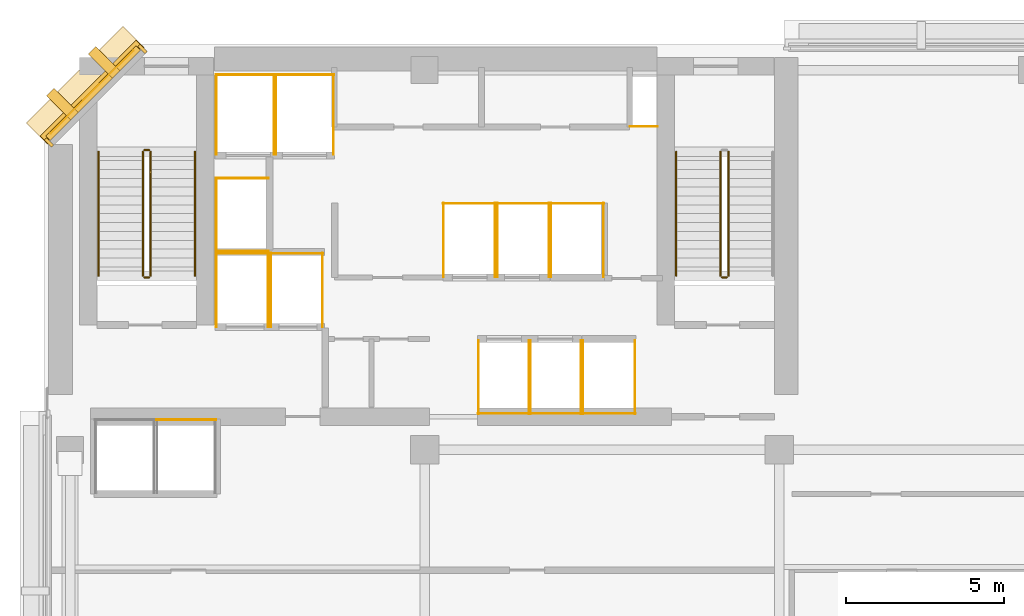
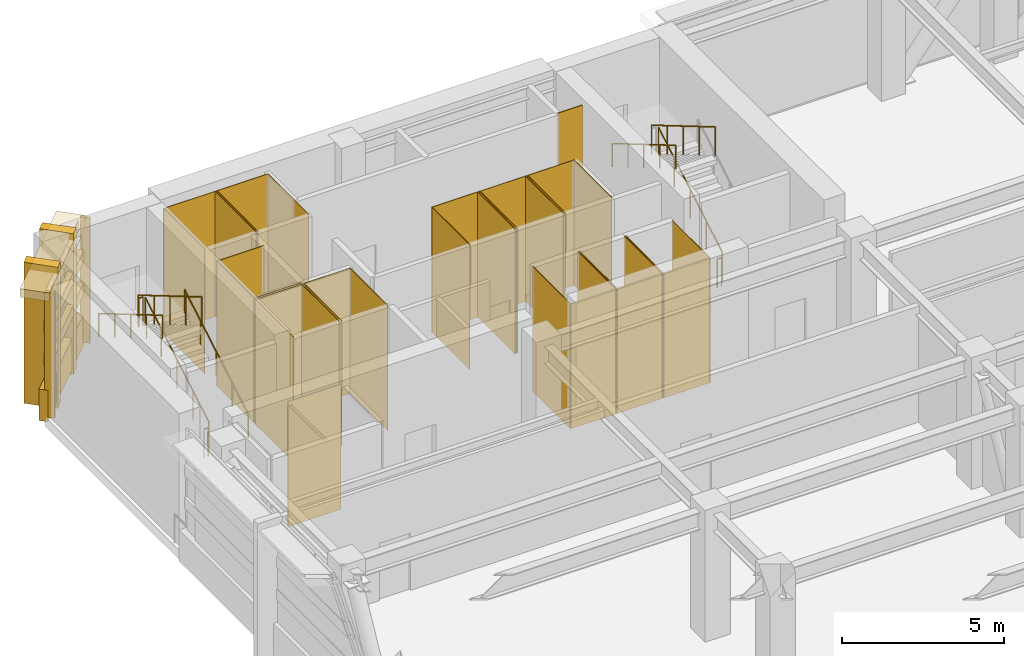
# One storey, part 10 of 12: 44 coverings, 10 railings.
"""IFC4 building model written with IfcOpenShell, lengths in metres."""

from ifc_helpers import new_model, si_unit, direction, frame, origin, origin_2d, place, context, subcontext, project, spatial, polyline, rectangle, circle, outline, extrude, material, layer, layer_set, type_object, element, save


model = new_model("IFC4")

# Units and contexts
model_context = context("Model", 3, precision=1e-05, world=origin(), true_north=direction((0.0, 1.0)))
body_context = subcontext(model_context, "Body", "Model", "MODEL_VIEW")
ifc_project = project(units=[si_unit("LENGTHUNIT", "METRE"), si_unit("AREAUNIT", "SQUARE_METRE"), si_unit("VOLUMEUNIT", "CUBIC_METRE"), si_unit("PLANEANGLEUNIT", "RADIAN"), si_unit("MASSUNIT", "GRAM", prefix="KILO")], contexts=[model_context])

# Site, building, storey
site_placement = place(None, origin())
site = spatial("IfcSite", under=ifc_project, at=site_placement, CompositionType="ELEMENT")
building_placement = place(site_placement, origin())
building = spatial("IfcBuilding", under=site, at=building_placement, Name="Kefirva Bronze Tower", CompositionType="ELEMENT")
storey_placement = place(building_placement, frame((0.0, 0.0, 174.570068359375)))
storey = spatial("IfcBuildingStorey", under=building, at=storey_placement, Name="L42", CompositionType="ELEMENT", Elevation=174.570068359375)

# Coverings
ifc_material_1 = material(Name="Bronze anodised aluminium", Category="aluminium")
ifc_layer_1 = layer(ifc_material_1, 0.02001953125, Name="Bronze anodised aluminium")
ifc_layer_set_1 = layer_set([ifc_layer_1], Name="Bronze anodised aluminium")
covering_type_1 = type_object("IfcCoveringType", Name="Anodised Bronze Spandrel Cladding 20mm", PredefinedType="CLADDING", material=ifc_layer_set_1)
covering_1_placement = place(storey_placement, frame((1.492919921875, 44.507080078125, 4.280029296875), z_axis=(0.0, 0.0, 1.0), x_axis=(-0.707106781187, -0.707106781187, 0.0)))
element("IfcCovering", 1, at=covering_1_placement, inside=storey, type_object=covering_type_1, Name="L42 Bronze Spandrel Cladding 5", PredefinedType="CLADDING", context=body_context, shape_type="SweptSolid", body=[
    extrude(rectangle(XDim=3.719482421875, YDim=0.02001953125, at=origin_2d()), origin(), (0.0, 0.0, 1.0), 0.39990234375),
])
for number, where, z_axis, x_axis, name in (
    (2, (3.08837890625, 45.862060546875, 0.0), (0.0, 0.0, 1.0), (-0.707106781187, -0.707106781187, 0.0), "L42 Facade Joint Closure Panel 5S"),
    (3, (0.137939453125, 42.91162109375, 0.0), (0.0, 0.0, 1.0), (-0.707106781187, -0.707106781187, 0.0), "L42 Facade Joint Closure Panel 5E"),
):
    element("IfcCovering", number, at=place(storey_placement, frame(where, z_axis=z_axis, x_axis=x_axis)), inside=storey, type_object=covering_type_1, Name=name, PredefinedType="CLADDING", context=body_context, shape_type="SweptSolid", body=[
        extrude(rectangle(XDim=0.10009765625, YDim=0.320068359375, at=origin_2d()), origin(), (0.0, 0.0, 1.0), 4.699951171875),
    ])
covering_2_placement = place(storey_placement, frame((1.4716796875, 44.5283203125, -0.16015625), z_axis=(0.0, 0.0, 1.0), x_axis=(-0.707106781187, -0.707106781187, 0.0)))
element("IfcCovering", 4, at=covering_2_placement, inside=storey, type_object=covering_type_1, Name="L42 Streamline Horizontal Spandrel Band 9", PredefinedType="CLADDING", context=body_context, shape_type="SweptSolid", body=[
    extrude(rectangle(XDim=4.28271484375, YDim=0.280029296875, at=origin_2d()), origin(), (0.0, 0.0, 1.0), 1.179931640625),
])
for number, where, z_axis, x_axis, name in (
    (5, (1.5283203125, 44.4716796875, 1.85791015625), (0.0, 0.0, 1.0), (-0.707106781187, -0.707106781187, 0.0), "L42 Recessed Zone-Break Bronze Louvre Band 9-1"),
    (6, (1.5283203125, 44.4716796875, 3.080078125), (0.0, 0.0, 1.0), (-0.707106781187, -0.707106781187, 0.0), "L42 Recessed Zone-Break Bronze Louvre Band 9-2"),
):
    element("IfcCovering", number, at=place(storey_placement, frame(where, z_axis=z_axis, x_axis=x_axis)), inside=storey, type_object=covering_type_1, Name=name, PredefinedType="CLADDING", context=body_context, shape_type="SweptSolid", body=[
        extrude(rectangle(XDim=4.04248046875, YDim=0.199951171875, at=origin_2d()), origin(), (0.0, 0.0, 1.0), 0.419921875),
    ])
covering_3_placement = place(storey_placement, origin())
element("IfcCovering", 7, at=covering_3_placement, inside=storey, type_object=covering_type_1, Name="L42 Lift FF1 Hoistway Liner N", PredefinedType="CLADDING", context=body_context, shape_type="SweptSolid", body=[
    extrude(outline(polyline([(5.39990234375, 39.389892578125), (7.080078125, 39.389892578125), (7.080078125, 39.409912109375), (5.39990234375, 39.409912109375), (5.39990234375, 39.389892578125)])), origin(), (0.0, 0.0, 1.0), 4.699951171875),
])
covering_4_placement = place(storey_placement, origin())
element("IfcCovering", 8, at=covering_4_placement, inside=storey, type_object=covering_type_1, Name="L42 Lift FF1 Hoistway Liner W", PredefinedType="CLADDING", context=body_context, shape_type="SweptSolid", body=[
    extrude(outline(polyline([(5.409912109375, 37.080078125), (5.429931640625, 37.080078125), (5.429931640625, 39.419921875), (5.409912109375, 39.419921875), (5.409912109375, 37.080078125)])), origin(), (0.0, 0.0, 1.0), 4.699951171875),
])
covering_5_placement = place(storey_placement, origin())
element("IfcCovering", 9, at=covering_5_placement, inside=storey, type_object=covering_type_1, Name="L42 Lift FF1 Hoistway Liner E", PredefinedType="CLADDING", context=body_context, shape_type="SweptSolid", body=[
    extrude(outline(polyline([(7.050048828125, 37.080078125), (7.070068359375, 37.080078125), (7.070068359375, 39.419921875), (7.050048828125, 39.419921875), (7.050048828125, 37.080078125)])), origin(), (0.0, 0.0, 1.0), 4.699951171875),
])
covering_6_placement = place(storey_placement, origin())
element("IfcCovering", 10, at=covering_6_placement, inside=storey, type_object=covering_type_1, Name="L42 Lift FF2 Hoistway Liner N", PredefinedType="CLADDING", context=body_context, shape_type="SweptSolid", body=[
    extrude(outline(polyline([(7.1201171875, 39.389892578125), (8.800048828125, 39.389892578125), (8.800048828125, 39.409912109375), (7.1201171875, 39.409912109375), (7.1201171875, 39.389892578125)])), origin(), (0.0, 0.0, 1.0), 4.699951171875),
])
covering_7_placement = place(storey_placement, origin())
element("IfcCovering", 11, at=covering_7_placement, inside=storey, type_object=covering_type_1, Name="L42 Lift FF2 Hoistway Liner W", PredefinedType="CLADDING", context=body_context, shape_type="SweptSolid", body=[
    extrude(outline(polyline([(7.1298828125, 37.080078125), (7.14990234375, 37.080078125), (7.14990234375, 39.419921875), (7.1298828125, 39.419921875), (7.1298828125, 37.080078125)])), origin(), (0.0, 0.0, 1.0), 4.699951171875),
])
covering_8_placement = place(storey_placement, origin())
element("IfcCovering", 12, at=covering_8_placement, inside=storey, type_object=covering_type_1, Name="L42 Lift FF2 Hoistway Liner E", PredefinedType="CLADDING", context=body_context, shape_type="SweptSolid", body=[
    extrude(outline(polyline([(8.77001953125, 37.080078125), (8.7900390625, 37.080078125), (8.7900390625, 39.419921875), (8.77001953125, 39.419921875), (8.77001953125, 37.080078125)])), origin(), (0.0, 0.0, 1.0), 4.699951171875),
])
covering_9_placement = place(storey_placement, origin())
element("IfcCovering", 13, at=covering_9_placement, inside=storey, type_object=covering_type_1, Name="L42 Lift SV1 Hoistway Liner N", PredefinedType="CLADDING", context=body_context, shape_type="SweptSolid", body=[
    extrude(outline(polyline([(5.39990234375, 45.0400390625), (7.260009765625, 45.0400390625), (7.260009765625, 45.06005859375), (5.39990234375, 45.06005859375), (5.39990234375, 45.0400390625)])), origin(), (0.0, 0.0, 1.0), 4.699951171875),
])
covering_10_placement = place(storey_placement, origin())
element("IfcCovering", 14, at=covering_10_placement, inside=storey, type_object=covering_type_1, Name="L42 Lift SV1 Hoistway Liner W", PredefinedType="CLADDING", context=body_context, shape_type="SweptSolid", body=[
    extrude(outline(polyline([(5.409912109375, 42.530029296875), (5.429931640625, 42.530029296875), (5.429931640625, 45.070068359375), (5.409912109375, 45.070068359375), (5.409912109375, 42.530029296875)])), origin(), (0.0, 0.0, 1.0), 4.699951171875),
])
covering_11_placement = place(storey_placement, origin())
element("IfcCovering", 15, at=covering_11_placement, inside=storey, type_object=covering_type_1, Name="L42 Lift SV1 Hoistway Liner E", PredefinedType="CLADDING", context=body_context, shape_type="SweptSolid", body=[
    extrude(outline(polyline([(7.22998046875, 42.530029296875), (7.25, 42.530029296875), (7.25, 45.070068359375), (7.22998046875, 45.070068359375), (7.22998046875, 42.530029296875)])), origin(), (0.0, 0.0, 1.0), 4.699951171875),
])
covering_12_placement = place(storey_placement, origin())
element("IfcCovering", 16, at=covering_12_placement, inside=storey, type_object=covering_type_1, Name="L42 Lift SV2 Hoistway Liner N", PredefinedType="CLADDING", context=body_context, shape_type="SweptSolid", body=[
    extrude(outline(polyline([(7.280029296875, 45.0400390625), (9.139892578125, 45.0400390625), (9.139892578125, 45.06005859375), (7.280029296875, 45.06005859375), (7.280029296875, 45.0400390625)])), origin(), (0.0, 0.0, 1.0), 4.699951171875),
])
covering_13_placement = place(storey_placement, origin())
element("IfcCovering", 17, at=covering_13_placement, inside=storey, type_object=covering_type_1, Name="L42 Lift SV2 Hoistway Liner W", PredefinedType="CLADDING", context=body_context, shape_type="SweptSolid", body=[
    extrude(outline(polyline([(7.2900390625, 42.530029296875), (7.31005859375, 42.530029296875), (7.31005859375, 45.070068359375), (7.2900390625, 45.070068359375), (7.2900390625, 42.530029296875)])), origin(), (0.0, 0.0, 1.0), 4.699951171875),
])
covering_14_placement = place(storey_placement, origin())
element("IfcCovering", 18, at=covering_14_placement, inside=storey, type_object=covering_type_1, Name="L42 Lift SV2 Hoistway Liner E", PredefinedType="CLADDING", context=body_context, shape_type="SweptSolid", body=[
    extrude(outline(polyline([(9.110107421875, 42.530029296875), (9.1298828125, 42.530029296875), (9.1298828125, 45.070068359375), (9.110107421875, 45.070068359375), (9.110107421875, 42.530029296875)])), origin(), (0.0, 0.0, 1.0), 4.699951171875),
])
covering_15_placement = place(storey_placement, origin())
element("IfcCovering", 19, at=covering_15_placement, inside=storey, type_object=covering_type_1, Name="L42 Lift OB2 Hoistway Liner N", PredefinedType="CLADDING", context=body_context, shape_type="SweptSolid", body=[
    extrude(outline(polyline([(3.530029296875, 34.139892578125), (5.419921875, 34.139892578125), (5.419921875, 34.159912109375), (3.530029296875, 34.159912109375), (3.530029296875, 34.139892578125)])), origin(), (0.0, 0.0, 1.0), 4.699951171875),
])
covering_16_placement = place(storey_placement, origin())
element("IfcCovering", 20, at=covering_16_placement, inside=storey, type_object=covering_type_1, Name="L42 Lift MP1 Hoistway Liner S", PredefinedType="CLADDING", context=body_context, shape_type="SweptSolid", body=[
    extrude(outline(polyline([(13.679931640625, 34.340087890625), (15.320068359375, 34.340087890625), (15.320068359375, 34.360107421875), (13.679931640625, 34.360107421875), (13.679931640625, 34.340087890625)])), origin(), (0.0, 0.0, 1.0), 4.699951171875),
])
covering_17_placement = place(storey_placement, origin())
element("IfcCovering", 21, at=covering_17_placement, inside=storey, type_object=covering_type_1, Name="L42 Lift MP1 Hoistway Liner W", PredefinedType="CLADDING", context=body_context, shape_type="SweptSolid", body=[
    extrude(outline(polyline([(13.68994140625, 34.330078125), (13.7099609375, 34.330078125), (13.7099609375, 36.669921875), (13.68994140625, 36.669921875), (13.68994140625, 34.330078125)])), origin(), (0.0, 0.0, 1.0), 4.699951171875),
])
covering_18_placement = place(storey_placement, origin())
element("IfcCovering", 22, at=covering_18_placement, inside=storey, type_object=covering_type_1, Name="L42 Lift MP1 Hoistway Liner E", PredefinedType="CLADDING", context=body_context, shape_type="SweptSolid", body=[
    extrude(outline(polyline([(15.2900390625, 34.330078125), (15.31005859375, 34.330078125), (15.31005859375, 36.669921875), (15.2900390625, 36.669921875), (15.2900390625, 34.330078125)])), origin(), (0.0, 0.0, 1.0), 4.699951171875),
])
covering_19_placement = place(storey_placement, origin())
element("IfcCovering", 23, at=covering_19_placement, inside=storey, type_object=covering_type_1, Name="L42 Lift MP2 Hoistway Liner S", PredefinedType="CLADDING", context=body_context, shape_type="SweptSolid", body=[
    extrude(outline(polyline([(15.330078125, 34.340087890625), (16.969970703125, 34.340087890625), (16.969970703125, 34.360107421875), (15.330078125, 34.360107421875), (15.330078125, 34.340087890625)])), origin(), (0.0, 0.0, 1.0), 4.699951171875),
])
covering_20_placement = place(storey_placement, origin())
element("IfcCovering", 24, at=covering_20_placement, inside=storey, type_object=covering_type_1, Name="L42 Lift MP2 Hoistway Liner W", PredefinedType="CLADDING", context=body_context, shape_type="SweptSolid", body=[
    extrude(outline(polyline([(15.340087890625, 34.330078125), (15.360107421875, 34.330078125), (15.360107421875, 36.669921875), (15.340087890625, 36.669921875), (15.340087890625, 34.330078125)])), origin(), (0.0, 0.0, 1.0), 4.699951171875),
])
covering_21_placement = place(storey_placement, origin())
element("IfcCovering", 25, at=covering_21_placement, inside=storey, type_object=covering_type_1, Name="L42 Lift MP2 Hoistway Liner E", PredefinedType="CLADDING", context=body_context, shape_type="SweptSolid", body=[
    extrude(outline(polyline([(16.93994140625, 34.330078125), (16.9599609375, 34.330078125), (16.9599609375, 36.669921875), (16.93994140625, 36.669921875), (16.93994140625, 34.330078125)])), origin(), (0.0, 0.0, 1.0), 4.699951171875),
])
covering_22_placement = place(storey_placement, origin())
element("IfcCovering", 26, at=covering_22_placement, inside=storey, type_object=covering_type_1, Name="L42 Lift MP3 Hoistway Liner N", PredefinedType="CLADDING", context=body_context, shape_type="SweptSolid", body=[
    extrude(outline(polyline([(12.580078125, 40.969970703125), (14.25, 40.969970703125), (14.25, 40.989990234375), (12.580078125, 40.989990234375), (12.580078125, 40.969970703125)])), origin(), (0.0, 0.0, 1.0), 4.699951171875),
])
covering_23_placement = place(storey_placement, origin())
element("IfcCovering", 27, at=covering_23_placement, inside=storey, type_object=covering_type_1, Name="L42 Lift MP3 Hoistway Liner W", PredefinedType="CLADDING", context=body_context, shape_type="SweptSolid", body=[
    extrude(outline(polyline([(12.590087890625, 38.659912109375), (12.610107421875, 38.659912109375), (12.610107421875, 41.0), (12.590087890625, 41.0), (12.590087890625, 38.659912109375)])), origin(), (0.0, 0.0, 1.0), 4.699951171875),
])
covering_24_placement = place(storey_placement, origin())
element("IfcCovering", 28, at=covering_24_placement, inside=storey, type_object=covering_type_1, Name="L42 Lift MP3 Hoistway Liner E", PredefinedType="CLADDING", context=body_context, shape_type="SweptSolid", body=[
    extrude(outline(polyline([(14.219970703125, 38.659912109375), (14.239990234375, 38.659912109375), (14.239990234375, 41.0), (14.219970703125, 41.0), (14.219970703125, 38.659912109375)])), origin(), (0.0, 0.0, 1.0), 4.699951171875),
])
covering_25_placement = place(storey_placement, origin())
element("IfcCovering", 29, at=covering_25_placement, inside=storey, type_object=covering_type_1, Name="L42 Lift MP4 Hoistway Liner N", PredefinedType="CLADDING", context=body_context, shape_type="SweptSolid", body=[
    extrude(outline(polyline([(14.280029296875, 40.969970703125), (15.949951171875, 40.969970703125), (15.949951171875, 40.989990234375), (14.280029296875, 40.989990234375), (14.280029296875, 40.969970703125)])), origin(), (0.0, 0.0, 1.0), 4.699951171875),
])
covering_26_placement = place(storey_placement, origin())
element("IfcCovering", 30, at=covering_26_placement, inside=storey, type_object=covering_type_1, Name="L42 Lift MP4 Hoistway Liner W", PredefinedType="CLADDING", context=body_context, shape_type="SweptSolid", body=[
    extrude(outline(polyline([(14.2900390625, 38.659912109375), (14.31005859375, 38.659912109375), (14.31005859375, 41.0), (14.2900390625, 41.0), (14.2900390625, 38.659912109375)])), origin(), (0.0, 0.0, 1.0), 4.699951171875),
])
covering_27_placement = place(storey_placement, origin())
element("IfcCovering", 31, at=covering_27_placement, inside=storey, type_object=covering_type_1, Name="L42 Lift MP4 Hoistway Liner E", PredefinedType="CLADDING", context=body_context, shape_type="SweptSolid", body=[
    extrude(outline(polyline([(15.919921875, 38.659912109375), (15.93994140625, 38.659912109375), (15.93994140625, 41.0), (15.919921875, 41.0), (15.919921875, 38.659912109375)])), origin(), (0.0, 0.0, 1.0), 4.699951171875),
])
covering_28_placement = place(storey_placement, origin())
element("IfcCovering", 32, at=covering_28_placement, inside=storey, type_object=covering_type_1, Name="L42 Lift HP1 Hoistway Liner S", PredefinedType="CLADDING", context=body_context, shape_type="SweptSolid", body=[
    extrude(outline(polyline([(16.97998046875, 34.340087890625), (18.669921875, 34.340087890625), (18.669921875, 34.360107421875), (16.97998046875, 34.360107421875), (16.97998046875, 34.340087890625)])), origin(), (0.0, 0.0, 1.0), 4.699951171875),
])
covering_29_placement = place(storey_placement, origin())
element("IfcCovering", 33, at=covering_29_placement, inside=storey, type_object=covering_type_1, Name="L42 Lift HP1 Hoistway Liner W", PredefinedType="CLADDING", context=body_context, shape_type="SweptSolid", body=[
    extrude(outline(polyline([(16.989990234375, 34.330078125), (17.010009765625, 34.330078125), (17.010009765625, 36.669921875), (16.989990234375, 36.669921875), (16.989990234375, 34.330078125)])), origin(), (0.0, 0.0, 1.0), 4.699951171875),
])
covering_30_placement = place(storey_placement, origin())
element("IfcCovering", 34, at=covering_30_placement, inside=storey, type_object=covering_type_1, Name="L42 Lift HP1 Hoistway Liner E", PredefinedType="CLADDING", context=body_context, shape_type="SweptSolid", body=[
    extrude(outline(polyline([(18.639892578125, 34.330078125), (18.659912109375, 34.330078125), (18.659912109375, 36.669921875), (18.639892578125, 36.669921875), (18.639892578125, 34.330078125)])), origin(), (0.0, 0.0, 1.0), 4.699951171875),
])
covering_31_placement = place(storey_placement, origin())
element("IfcCovering", 35, at=covering_31_placement, inside=storey, type_object=covering_type_1, Name="L42 Lift HP2 Hoistway Liner N", PredefinedType="CLADDING", context=body_context, shape_type="SweptSolid", body=[
    extrude(outline(polyline([(15.97998046875, 40.969970703125), (17.669921875, 40.969970703125), (17.669921875, 40.989990234375), (15.97998046875, 40.989990234375), (15.97998046875, 40.969970703125)])), origin(), (0.0, 0.0, 1.0), 4.699951171875),
])
covering_32_placement = place(storey_placement, origin())
element("IfcCovering", 36, at=covering_32_placement, inside=storey, type_object=covering_type_1, Name="L42 Lift HP2 Hoistway Liner W", PredefinedType="CLADDING", context=body_context, shape_type="SweptSolid", body=[
    extrude(outline(polyline([(15.989990234375, 38.659912109375), (16.010009765625, 38.659912109375), (16.010009765625, 41.0), (15.989990234375, 41.0), (15.989990234375, 38.659912109375)])), origin(), (0.0, 0.0, 1.0), 4.699951171875),
])
covering_33_placement = place(storey_placement, origin())
element("IfcCovering", 37, at=covering_33_placement, inside=storey, type_object=covering_type_1, Name="L42 Lift HP2 Hoistway Liner E", PredefinedType="CLADDING", context=body_context, shape_type="SweptSolid", body=[
    extrude(outline(polyline([(17.639892578125, 38.659912109375), (17.659912109375, 38.659912109375), (17.659912109375, 41.0), (17.639892578125, 41.0), (17.639892578125, 38.659912109375)])), origin(), (0.0, 0.0, 1.0), 4.699951171875),
])
covering_34_placement = place(storey_placement, origin())
element("IfcCovering", 38, at=covering_34_placement, inside=storey, type_object=covering_type_1, Name="L42 Lift HP3 Hoistway Liner N", PredefinedType="CLADDING", context=body_context, shape_type="SweptSolid", body=[
    extrude(outline(polyline([(5.39990234375, 41.77001953125), (7.080078125, 41.77001953125), (7.080078125, 41.7900390625), (5.39990234375, 41.7900390625), (5.39990234375, 41.77001953125)])), origin(), (0.0, 0.0, 1.0), 4.699951171875),
])
covering_35_placement = place(storey_placement, origin())
element("IfcCovering", 39, at=covering_35_placement, inside=storey, type_object=covering_type_1, Name="L42 Lift HP3 Hoistway Liner S", PredefinedType="CLADDING", context=body_context, shape_type="SweptSolid", body=[
    extrude(outline(polyline([(5.39990234375, 39.469970703125), (7.080078125, 39.469970703125), (7.080078125, 39.489990234375), (5.39990234375, 39.489990234375), (5.39990234375, 39.469970703125)])), origin(), (0.0, 0.0, 1.0), 4.699951171875),
])
covering_36_placement = place(storey_placement, origin())
element("IfcCovering", 40, at=covering_36_placement, inside=storey, type_object=covering_type_1, Name="L42 Lift HP3 Hoistway Liner W", PredefinedType="CLADDING", context=body_context, shape_type="SweptSolid", body=[
    extrude(outline(polyline([(5.409912109375, 39.4599609375), (5.429931640625, 39.4599609375), (5.429931640625, 41.800048828125), (5.409912109375, 41.800048828125), (5.409912109375, 39.4599609375)])), origin(), (0.0, 0.0, 1.0), 4.699951171875),
])
covering_37_placement = place(storey_placement, origin())
element("IfcCovering", 41, at=covering_37_placement, inside=storey, type_object=covering_type_1, Name="L42 Core MEP Riser Shaft Liner South", PredefinedType="CLADDING", context=body_context, shape_type="SweptSolid", body=[
    extrude(outline(polyline([(18.47998046875, 43.39990234375), (19.360107421875, 43.39990234375), (19.360107421875, 43.429931640625), (18.47998046875, 43.429931640625), (18.47998046875, 43.39990234375)])), origin(), (0.0, 0.0, 1.0), 4.699951171875),
])

# Railings
ifc_material_2 = material(Name="Stainless steel 316", Category="steel")
railing_type_1 = type_object("IfcRailingType", Name="Interior Stair Guardrail 1100mm", PredefinedType="GUARDRAIL", material=ifc_material_2)
railing_1_placement = place(storey_placement, frame((3.35009765625, 38.699951171875, 0.1650390625)))
element("IfcRailing", 42, at=railing_1_placement, inside=storey, type_object=railing_type_1, Name="L42 ST-1 stair guard 1", PredefinedType="GUARDRAIL", context=body_context, shape_type="SweptSolid", body=[
    extrude(circle(Radius=0.02392578125, at=origin_2d()), frame((0.0, 0.0, 1.076171875), z_axis=(0.0, 0.861565701394, 0.507646079647), x_axis=(-1.0, 0.0, 0.0)), (0.0, 0.0, 1.0), 4.550048828125),
    extrude(circle(Radius=0.02099609375, at=origin_2d()), origin(), (0.0, 0.0, 1.0), 1.052001953125),
    extrude(circle(Radius=0.02099609375, at=origin_2d()), frame((0.0, 0.97998046875, 0.577392578125)), (0.0, 0.0, 1.0), 1.052001953125),
    extrude(circle(Radius=0.02099609375, at=origin_2d()), frame((0.0, 1.9599609375, 1.15478515625)), (0.0, 0.0, 1.0), 1.052001953125),
    extrude(circle(Radius=0.02099609375, at=origin_2d()), frame((0.0, 2.940185546875, 1.732421875)), (0.0, 0.0, 1.0), 1.052001953125),
    extrude(circle(Radius=0.02099609375, at=origin_2d()), frame((0.0, 3.920166015625, 2.309814453125)), (0.0, 0.0, 1.0), 1.052001953125),
])
railing_2_placement = place(storey_placement, frame((3.300048828125, 42.669921875, 2.474853515625)))
element("IfcRailing", 43, at=railing_2_placement, inside=storey, type_object=railing_type_1, Name="L42 ST-1 stair guard 2", PredefinedType="GUARDRAIL", context=body_context, shape_type="SweptSolid", body=[
    extrude(circle(Radius=0.02392578125, at=origin_2d()), frame((0.0, 0.0, 1.076171875), z_axis=(-1.0, 0.0, 0.0), x_axis=(0.0, -1.0, 0.0)), (0.0, 0.0, 1.0), 0.150146484375),
    extrude(circle(Radius=0.02099609375, at=origin_2d()), origin(), (0.0, 0.0, 1.0), 1.052001953125),
    extrude(circle(Radius=0.02099609375, at=origin_2d()), frame((-0.150146484375, 0.0, 0.0)), (0.0, 0.0, 1.0), 1.052001953125),
])
railing_3_placement = place(storey_placement, frame((3.10009765625, 42.6201171875, 2.639892578125)))
element("IfcRailing", 44, at=railing_3_placement, inside=storey, type_object=railing_type_1, Name="L42 ST-1 stair guard 3", PredefinedType="GUARDRAIL", context=body_context, shape_type="SweptSolid", body=[
    extrude(circle(Radius=0.02392578125, at=origin_2d()), frame((0.0, 0.0, 1.076171875), z_axis=(0.0, -0.861542233256, 0.507685907148), x_axis=(1.0, 0.0, 0.0)), (0.0, 0.0, 1.0), 4.55029296875),
    extrude(circle(Radius=0.02099609375, at=origin_2d()), origin(), (0.0, 0.0, 1.0), 1.052001953125),
    extrude(circle(Radius=0.02099609375, at=origin_2d()), frame((0.0, -0.97998046875, 0.57763671875)), (0.0, 0.0, 1.0), 1.052001953125),
    extrude(circle(Radius=0.02099609375, at=origin_2d()), frame((0.0, -1.9599609375, 1.155029296875)), (0.0, 0.0, 1.0), 1.052001953125),
    extrude(circle(Radius=0.02099609375, at=origin_2d()), frame((0.0, -2.940185546875, 1.732421875)), (0.0, 0.0, 1.0), 1.052001953125),
    extrude(circle(Radius=0.02099609375, at=origin_2d()), frame((0.0, -3.920166015625, 2.31005859375)), (0.0, 0.0, 1.0), 1.052001953125),
])
railing_4_placement = place(storey_placement, frame((3.300048828125, 38.64990234375, 0.0)))
element("IfcRailing", 45, at=railing_4_placement, inside=storey, type_object=railing_type_1, Name="L42 ST-1 stair guard 4", PredefinedType="GUARDRAIL", context=body_context, shape_type="SweptSolid", body=[
    extrude(circle(Radius=0.02392578125, at=origin_2d()), frame((0.0, 0.0, 1.076171875), z_axis=(-1.0, 0.0, 0.0), x_axis=(0.0, -1.0, 0.0)), (0.0, 0.0, 1.0), 0.150146484375),
    extrude(circle(Radius=0.02099609375, at=origin_2d()), origin(), (0.0, 0.0, 1.0), 1.052001953125),
    extrude(circle(Radius=0.02099609375, at=origin_2d()), frame((-0.150146484375, 0.0, 0.0)), (0.0, 0.0, 1.0), 1.052001953125),
])
railing_5_placement = place(storey_placement, frame((21.60009765625, 38.699951171875, 0.1650390625)))
element("IfcRailing", 46, at=railing_5_placement, inside=storey, type_object=railing_type_1, Name="L42 ST-2 stair guard 1", PredefinedType="GUARDRAIL", context=body_context, shape_type="SweptSolid", body=[
    extrude(circle(Radius=0.02392578125, at=origin_2d()), frame((0.0, 0.0, 1.076171875), z_axis=(0.0, 0.861565701394, 0.507646079647), x_axis=(-1.0, 0.0, 0.0)), (0.0, 0.0, 1.0), 4.550048828125),
    extrude(circle(Radius=0.02099609375, at=origin_2d()), origin(), (0.0, 0.0, 1.0), 1.052001953125),
    extrude(circle(Radius=0.02099609375, at=origin_2d()), frame((0.0, 0.97998046875, 0.577392578125)), (0.0, 0.0, 1.0), 1.052001953125),
    extrude(circle(Radius=0.02099609375, at=origin_2d()), frame((0.0, 1.9599609375, 1.15478515625)), (0.0, 0.0, 1.0), 1.052001953125),
    extrude(circle(Radius=0.02099609375, at=origin_2d()), frame((0.0, 2.940185546875, 1.732421875)), (0.0, 0.0, 1.0), 1.052001953125),
    extrude(circle(Radius=0.02099609375, at=origin_2d()), frame((0.0, 3.920166015625, 2.309814453125)), (0.0, 0.0, 1.0), 1.052001953125),
])
railing_6_placement = place(storey_placement, frame((21.35009765625, 42.6201171875, 2.639892578125)))
element("IfcRailing", 47, at=railing_6_placement, inside=storey, type_object=railing_type_1, Name="L42 ST-2 stair guard 3", PredefinedType="GUARDRAIL", context=body_context, shape_type="SweptSolid", body=[
    extrude(circle(Radius=0.02392578125, at=origin_2d()), frame((0.0, 0.0, 1.076171875), z_axis=(0.0, -0.861542233256, 0.507685907148), x_axis=(1.0, 0.0, 0.0)), (0.0, 0.0, 1.0), 4.55029296875),
    extrude(circle(Radius=0.02099609375, at=origin_2d()), origin(), (0.0, 0.0, 1.0), 1.052001953125),
    extrude(circle(Radius=0.02099609375, at=origin_2d()), frame((0.0, -0.97998046875, 0.57763671875)), (0.0, 0.0, 1.0), 1.052001953125),
    extrude(circle(Radius=0.02099609375, at=origin_2d()), frame((0.0, -1.9599609375, 1.155029296875)), (0.0, 0.0, 1.0), 1.052001953125),
    extrude(circle(Radius=0.02099609375, at=origin_2d()), frame((0.0, -2.940185546875, 1.732421875)), (0.0, 0.0, 1.0), 1.052001953125),
    extrude(circle(Radius=0.02099609375, at=origin_2d()), frame((0.0, -3.920166015625, 2.31005859375)), (0.0, 0.0, 1.0), 1.052001953125),
])
railing_7_placement = place(storey_placement, frame((21.550048828125, 38.64990234375, 0.0)))
element("IfcRailing", 48, at=railing_7_placement, inside=storey, type_object=railing_type_1, Name="L42 ST-2 stair guard 4", PredefinedType="GUARDRAIL", context=body_context, shape_type="SweptSolid", body=[
    extrude(circle(Radius=0.02392578125, at=origin_2d()), frame((0.0, 0.0, 1.076171875), z_axis=(-1.0, 0.0, 0.0), x_axis=(0.0, -1.0, 0.0)), (0.0, 0.0, 1.0), 0.150146484375),
    extrude(circle(Radius=0.02099609375, at=origin_2d()), origin(), (0.0, 0.0, 1.0), 1.052001953125),
    extrude(circle(Radius=0.02099609375, at=origin_2d()), frame((-0.150146484375, 0.0, 0.0)), (0.0, 0.0, 1.0), 1.052001953125),
])
railing_type_2 = type_object("IfcRailingType", Name="Stair Pitch Handrail 900mm", PredefinedType="HANDRAIL", material=ifc_material_2)
railing_8_placement = place(storey_placement, frame((4.75, 38.699951171875, 0.1650390625)))
element("IfcRailing", 49, at=railing_8_placement, inside=storey, type_object=railing_type_2, Name="L42 ST-1 stair handrail 1", PredefinedType="HANDRAIL", context=body_context, shape_type="SweptSolid", body=[
    extrude(circle(Radius=0.02392578125, at=origin_2d()), frame((0.0, 0.0, 0.8759765625), z_axis=(0.0, 0.861565701394, 0.507646079647), x_axis=(-1.0, 0.0, 0.0)), (0.0, 0.0, 1.0), 4.550048828125),
    extrude(circle(Radius=0.02099609375, at=origin_2d()), origin(), (0.0, 0.0, 1.0), 0.851806640625),
    extrude(circle(Radius=0.02099609375, at=origin_2d()), frame((0.0, 0.97998046875, 0.577392578125)), (0.0, 0.0, 1.0), 0.851806640625),
    extrude(circle(Radius=0.02099609375, at=origin_2d()), frame((0.0, 1.9599609375, 1.15478515625)), (0.0, 0.0, 1.0), 0.851806640625),
    extrude(circle(Radius=0.02099609375, at=origin_2d()), frame((0.0, 2.940185546875, 1.732421875)), (0.0, 0.0, 1.0), 0.851806640625),
    extrude(circle(Radius=0.02099609375, at=origin_2d()), frame((0.0, 3.920166015625, 2.309814453125)), (0.0, 0.0, 1.0), 0.851806640625),
])
for number, where, name in (
    (50, (1.699951171875, 42.6201171875, 2.639892578125), "L42 ST-1 stair handrail 2"),
    (51, (19.949951171875, 42.6201171875, 2.639892578125), "L42 ST-2 stair handrail 2"),
):
    element("IfcRailing", number, at=place(storey_placement, frame(where)), inside=storey, type_object=railing_type_2, Name=name, PredefinedType="HANDRAIL", context=body_context, shape_type="SweptSolid", body=[
        extrude(circle(Radius=0.02392578125, at=origin_2d()), frame((0.0, 0.0, 0.8759765625), z_axis=(0.0, -0.861542233256, 0.507685907148), x_axis=(1.0, 0.0, 0.0)), (0.0, 0.0, 1.0), 4.55029296875),
        extrude(circle(Radius=0.02099609375, at=origin_2d()), origin(), (0.0, 0.0, 1.0), 0.851806640625),
        extrude(circle(Radius=0.02099609375, at=origin_2d()), frame((0.0, -0.97998046875, 0.57763671875)), (0.0, 0.0, 1.0), 0.851806640625),
        extrude(circle(Radius=0.02099609375, at=origin_2d()), frame((0.0, -1.9599609375, 1.155029296875)), (0.0, 0.0, 1.0), 0.851806640625),
        extrude(circle(Radius=0.02099609375, at=origin_2d()), frame((0.0, -2.940185546875, 1.732421875)), (0.0, 0.0, 1.0), 0.851806640625),
        extrude(circle(Radius=0.02099609375, at=origin_2d()), frame((0.0, -3.920166015625, 2.31005859375)), (0.0, 0.0, 1.0), 0.851806640625),
    ])

# Coverings
ifc_layer_2 = layer(ifc_material_1, 0.179931640625, Name="Bronze anodised aluminium")
ifc_layer_set_2 = layer_set([ifc_layer_2], Name="Bronze anodised aluminium")
covering_type_2 = type_object("IfcCoveringType", Name="Streamline Bronze Sunshade Eyebrow Cladding 180mm", PredefinedType="CLADDING", material=ifc_layer_set_2)
covering_38_placement = place(storey_placement, frame((1.28076171875, 44.71923828125, 4.3798828125), z_axis=(0.0, 0.0, 1.0), x_axis=(-0.707106781187, -0.707106781187, 0.0)))
element("IfcCovering", 52, at=covering_38_placement, inside=storey, type_object=covering_type_2, Name="L42 Streamline Bronze Sunshade Eyebrow 9", PredefinedType="CLADDING", context=body_context, shape_type="SweptSolid", body=[
    extrude(rectangle(XDim=4.322509765625, YDim=0.93994140625, at=origin_2d()), origin(), (0.0, 0.0, 1.0), 0.320068359375),
])
ifc_layer_3 = layer(ifc_material_1, 0.260009765625, Name="Bronze anodised aluminium")
ifc_layer_set_3 = layer_set([ifc_layer_3], Name="Bronze anodised aluminium")
covering_type_3 = type_object("IfcCoveringType", Name="Unbroken Bronze Buttress Fin Cladding 260mm", PredefinedType="CLADDING", material=ifc_layer_set_3)
for number, where, z_axis, x_axis, name in (
    (53, (1.877197265625, 45.44287109375, -0.35009765625), (0.0, 0.0, 1.0), (-0.707106781187, -0.707106781187, 0.0), "L42 Chamfered Corner Buttress Fin Cladding 21"),
    (54, (0.55712890625, 44.122802734375, -0.35009765625), (0.0, 0.0, 1.0), (-0.707106781187, -0.707106781187, 0.0), "L42 Chamfered Corner Buttress Fin Cladding 22"),
):
    element("IfcCovering", number, at=place(storey_placement, frame(where, z_axis=z_axis, x_axis=x_axis)), inside=storey, type_object=covering_type_3, Name=name, PredefinedType="CLADDING", context=body_context, shape_type="SweptSolid", body=[
        extrude(rectangle(XDim=0.340087890625, YDim=1.080078125, at=origin_2d()), origin(), (0.0, 0.0, 1.0), 5.300048828125),
    ])

save(model, "model.ifc")
